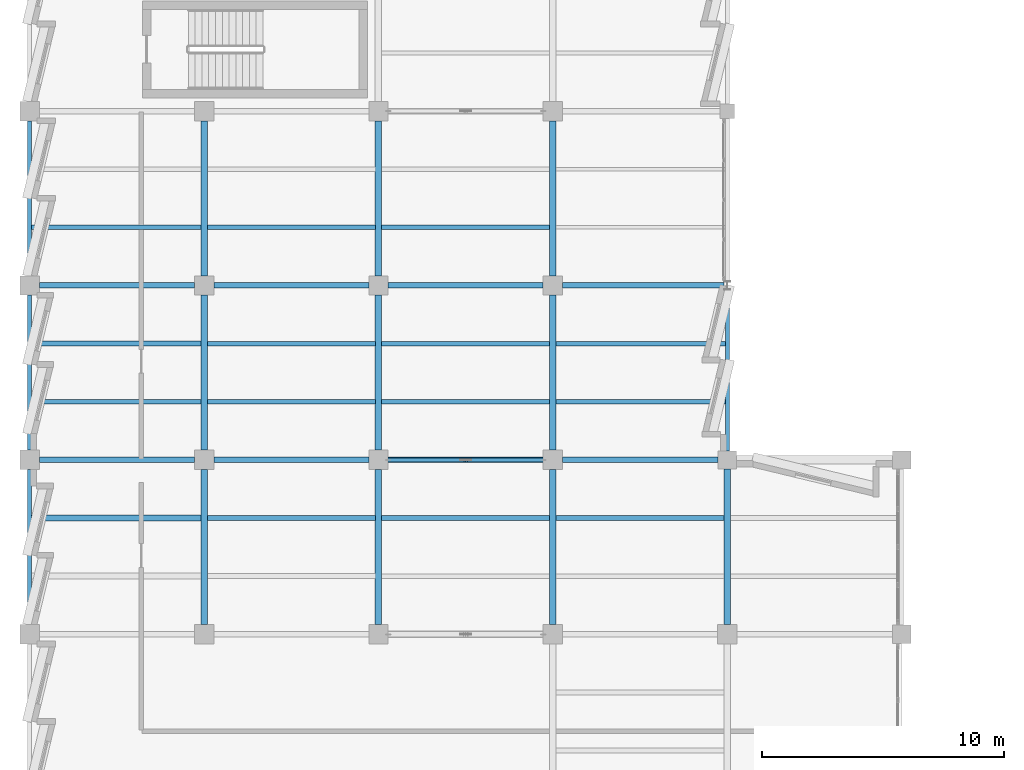
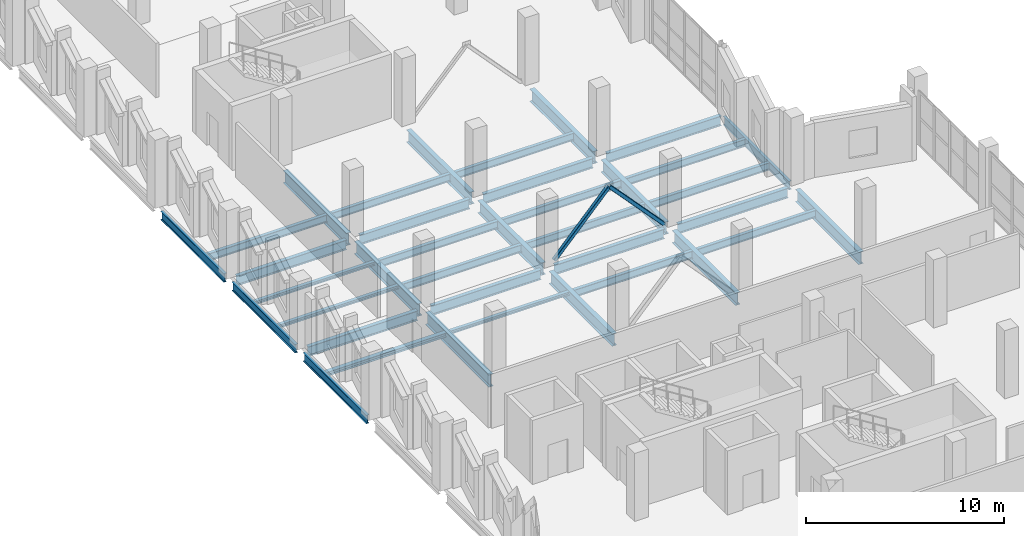
# One storey, part 25 of 94: 37 beams, 2 members.
"""IFC4 building model written with IfcOpenShell, lengths in metres."""

from ifc_helpers import new_model, si_unit, direction, frame, origin, origin_2d, place, context, subcontext, project, spatial, hollow_rectangle, i_section, extrude, material, material_profile, profile_set, type_object, element, save


model = new_model("IFC4")

# Units and contexts
model_context = context("Model", 3, precision=1e-05, world=origin(), true_north=direction((0.0, 1.0)))
body_context = subcontext(model_context, "Body", "Model", "MODEL_VIEW")
ifc_project = project(units=[si_unit("LENGTHUNIT", "METRE"), si_unit("AREAUNIT", "SQUARE_METRE"), si_unit("VOLUMEUNIT", "CUBIC_METRE"), si_unit("PLANEANGLEUNIT", "RADIAN"), si_unit("MASSUNIT", "GRAM", prefix="KILO")], contexts=[model_context])

# Site, building, storey
site_placement = place(None, origin())
site = spatial("IfcSite", under=ifc_project, at=site_placement, CompositionType="ELEMENT")
building_placement = place(site_placement, origin())
building = spatial("IfcBuilding", under=site, at=building_placement, Name="Kalmorath City Hall", CompositionType="ELEMENT")
storey_placement = place(building_placement, frame((0.0, 0.0, 14.699951171875)))
storey = spatial("IfcBuildingStorey", under=building, at=storey_placement, Name="L03", CompositionType="ELEMENT", Elevation=14.699951171875)

# Beams
ifc_material_1 = material(Name="Steel ASTM A992 Grade 50", Category="steel")
ifc_material_profile_1 = material_profile(ifc_material_1, i_section(OverallWidth=0.19091796875, OverallDepth=0.45703125, WebThickness=0.009033203125, FlangeThickness=0.014404296875, FilletRadius=0.013916015625, at=origin_2d()), Name="W18X50")
ifc_profile_set_1 = profile_set([ifc_material_profile_1], Name="Steel ASTM A992 Grade 50")
beam_type_1 = type_object("IfcBeamType", Name="Steel composite joist W18X50", PredefinedType="JOIST", material=ifc_profile_set_1)
beam_1_placement = place(storey_placement, frame((14.533935546875, 45.60009765625, -0.492431640625), z_axis=(1.0, 0.0, 0.0), x_axis=(0.0, 1.0, 0.0)))
element("IfcBeam", 1, at=beam_1_placement, inside=storey, type_object=beam_type_1, Name="L03 joist SJ3 3.7.1", PredefinedType="JOIST", context=body_context, shape_type="SweptSolid", body=[
    extrude(i_section(OverallWidth=0.19091796875, OverallDepth=0.45703125, WebThickness=0.009033203125, FlangeThickness=0.014404296875, FilletRadius=0.013916015625, at=origin_2d()), origin(), (0.0, 0.0, 1.0), 6.93212890625),
])
for number, where, z_axis, x_axis, name in (
    (2, (21.73388671875, 38.39990234375, -0.492431640625), (1.0, 0.0, 0.0), (0.0, 1.0, 0.0), "L03 joist SJ3 4.6.1"),
    (3, (21.73388671875, 40.800048828125, -0.492431640625), (1.0, 0.0, 0.0), (0.0, 1.0, 0.0), "L03 joist SJ3 4.6.2"),
):
    element("IfcBeam", number, at=place(storey_placement, frame(where, z_axis=z_axis, x_axis=x_axis)), inside=storey, type_object=beam_type_1, Name=name, PredefinedType="JOIST", context=body_context, shape_type="SweptSolid", body=[
        extrude(i_section(OverallWidth=0.19091796875, OverallDepth=0.45703125, WebThickness=0.009033203125, FlangeThickness=0.014404296875, FilletRadius=0.013916015625, at=origin_2d()), origin(), (0.0, 0.0, 1.0), 6.983642578125),
    ])
ifc_material_2 = material(Name="Steel ASTM A992 Grade 50", Category="steel")
ifc_material_profile_2 = material_profile(ifc_material_2, i_section(OverallWidth=0.19091796875, OverallDepth=0.4599609375, WebThickness=0.010009765625, FlangeThickness=0.01611328125, FilletRadius=0.013916015625, at=origin_2d()), Name="W18X55")
ifc_profile_set_2 = profile_set([ifc_material_profile_2], Name="Steel ASTM A992 Grade 50")
beam_type_2 = type_object("IfcBeamType", Name="Steel composite joist W18X55", PredefinedType="JOIST", material=ifc_profile_set_2)
for number, where, z_axis, x_axis, name in (
    (4, (7.333984375, 45.60009765625, -0.493896484375), (1.0, 0.0, 0.0), (0.0, 1.0, 0.0), "L03 joist SJ2 2.7.1"),
    (5, (14.533935546875, 38.39990234375, -0.493896484375), (1.0, 0.0, 0.0), (0.0, 1.0, 0.0), "L03 joist SJ2 3.6.1"),
    (6, (14.533935546875, 40.800048828125, -0.493896484375), (1.0, 0.0, 0.0), (0.0, 1.0, 0.0), "L03 joist SJ2 3.6.2"),
    (7, (21.73388671875, 33.60009765625, -0.493896484375), (1.0, 0.0, 0.0), (0.0, 1.0, 0.0), "L03 joist SJ2 4.5.2"),
):
    element("IfcBeam", number, at=place(storey_placement, frame(where, z_axis=z_axis, x_axis=x_axis)), inside=storey, type_object=beam_type_2, Name=name, PredefinedType="JOIST", context=body_context, shape_type="SweptSolid", body=[
        extrude(i_section(OverallWidth=0.19091796875, OverallDepth=0.4599609375, WebThickness=0.010009765625, FlangeThickness=0.01611328125, FilletRadius=0.013916015625, at=origin_2d()), origin(), (0.0, 0.0, 1.0), 6.93212890625),
    ])
ifc_material_3 = material(Name="Steel ASTM A992 Grade 50", Category="steel")
ifc_material_profile_3 = material_profile(ifc_material_3, i_section(OverallWidth=0.193115234375, OverallDepth=0.466064453125, WebThickness=0.011474609375, FlangeThickness=0.01904296875, FilletRadius=0.013916015625, at=origin_2d()), Name="W18X65")
ifc_profile_set_3 = profile_set([ifc_material_profile_3], Name="Steel ASTM A992 Grade 50")
beam_type_3 = type_object("IfcBeamType", Name="Steel composite joist W18X65", PredefinedType="JOIST", material=ifc_profile_set_3)
beam_2_placement = place(storey_placement, frame((0.08251953125, 45.60009765625, -0.4970703125), z_axis=(1.0, 0.0, 0.0), x_axis=(0.0, 1.0, 0.0)))
element("IfcBeam", 8, at=beam_2_placement, inside=storey, type_object=beam_type_3, Name="L03 joist SJ1 1.7.1", PredefinedType="JOIST", context=body_context, shape_type="SweptSolid", body=[
    extrude(i_section(OverallWidth=0.193115234375, OverallDepth=0.466064453125, WebThickness=0.011474609375, FlangeThickness=0.01904296875, FilletRadius=0.013916015625, at=origin_2d()), origin(), (0.0, 0.0, 1.0), 6.9833984375),
])
for number, where, z_axis, x_axis, name in (
    (9, (7.333984375, 38.39990234375, -0.4970703125), (1.0, 0.0, 0.0), (0.0, 1.0, 0.0), "L03 joist SJ1 2.6.1"),
    (10, (7.333984375, 40.800048828125, -0.4970703125), (1.0, 0.0, 0.0), (0.0, 1.0, 0.0), "L03 joist SJ1 2.6.2"),
    (11, (14.533935546875, 33.60009765625, -0.4970703125), (1.0, 0.0, 0.0), (0.0, 1.0, 0.0), "L03 joist SJ1 3.5.2"),
):
    element("IfcBeam", number, at=place(storey_placement, frame(where, z_axis=z_axis, x_axis=x_axis)), inside=storey, type_object=beam_type_3, Name=name, PredefinedType="JOIST", context=body_context, shape_type="SweptSolid", body=[
        extrude(i_section(OverallWidth=0.193115234375, OverallDepth=0.466064453125, WebThickness=0.011474609375, FlangeThickness=0.01904296875, FilletRadius=0.013916015625, at=origin_2d()), origin(), (0.0, 0.0, 1.0), 6.93212890625),
    ])
ifc_material_4 = material(Name="Steel ASTM A992 Grade 50", Category="steel")
ifc_material_profile_4 = material_profile(ifc_material_4, i_section(OverallWidth=0.202880859375, OverallDepth=0.202880859375, WebThickness=0.007080078125, FlangeThickness=0.010986328125, FilletRadius=0.010986328125, at=origin_2d()), Name="W8X31")
ifc_profile_set_4 = profile_set([ifc_material_profile_4], Name="Steel ASTM A992 Grade 50")
beam_type_4 = type_object("IfcBeamType", Name="Steel edge trimmer W8X31", PredefinedType="LINTEL", material=ifc_profile_set_4)
for number, where, z_axis, x_axis, name in (
    (12, (0.08251953125, 38.39990234375, -0.365478515625), (1.0, 0.0, 0.0), (0.0, 1.0, 0.0), "L03 joist SJ16 1.6.1"),
    (13, (0.08251953125, 40.800048828125, -0.365478515625), (1.0, 0.0, 0.0), (0.0, 1.0, 0.0), "L03 joist SJ16 1.6.2"),
):
    element("IfcBeam", number, at=place(storey_placement, frame(where, z_axis=z_axis, x_axis=x_axis)), inside=storey, type_object=beam_type_4, Name=name, PredefinedType="LINTEL", context=body_context, shape_type="SweptSolid", body=[
        extrude(i_section(OverallWidth=0.202880859375, OverallDepth=0.202880859375, WebThickness=0.007080078125, FlangeThickness=0.010986328125, FilletRadius=0.010986328125, at=origin_2d()), origin(), (0.0, 0.0, 1.0), 6.9833984375),
    ])
beam_3_placement = place(storey_placement, frame((7.333984375, 33.60009765625, -0.365478515625), z_axis=(1.0, 0.0, 0.0), x_axis=(0.0, 1.0, 0.0)))
element("IfcBeam", 14, at=beam_3_placement, inside=storey, type_object=beam_type_4, Name="L03 joist SJ16 2.5.2", PredefinedType="LINTEL", context=body_context, shape_type="SweptSolid", body=[
    extrude(i_section(OverallWidth=0.202880859375, OverallDepth=0.202880859375, WebThickness=0.007080078125, FlangeThickness=0.010986328125, FilletRadius=0.010986328125, at=origin_2d()), origin(), (0.0, 0.0, 1.0), 6.93212890625),
])
ifc_material_5 = material(Name="Steel ASTM A992 Grade 50", Category="steel")
ifc_material_profile_5 = material_profile(ifc_material_5, i_section(OverallWidth=0.22802734375, OverallDepth=0.60302734375, WebThickness=0.010498046875, FlangeThickness=0.014892578125, FilletRadius=0.01611328125, at=origin_2d()), Name="W24X68")
ifc_profile_set_5 = profile_set([ifc_material_profile_5], Name="Steel ASTM A992 Grade 50")
beam_type_5 = type_object("IfcBeamType", Name="Steel floor girder W24X68", PredefinedType="BEAM", material=ifc_profile_set_5)
beam_4_placement = place(storey_placement, frame((0.39990234375, 36.0, -0.5654296875), z_axis=(1.0, 0.0, 0.0), x_axis=(0.0, 1.0, 0.0)))
element("IfcBeam", 15, at=beam_4_placement, inside=storey, type_object=beam_type_5, Name="L03 girder SG9 X1-2/6", PredefinedType="BEAM", context=body_context, shape_type="SweptSolid", body=[
    extrude(i_section(OverallWidth=0.22802734375, OverallDepth=0.60302734375, WebThickness=0.010498046875, FlangeThickness=0.014892578125, FilletRadius=0.01611328125, at=origin_2d()), origin(), (0.0, 0.0, 1.0), 6.400146484375),
])
for number, where, z_axis, x_axis, name in (
    (16, (7.60009765625, 36.0, -0.5654296875), (1.0, 0.0, 0.0), (0.0, 1.0, 0.0), "L03 girder SG9 X2-3/6"),
    (17, (14.800048828125, 36.0, -0.5654296875), (1.0, 0.0, 0.0), (0.0, 1.0, 0.0), "L03 girder SG9 X3-4/6"),
):
    element("IfcBeam", number, at=place(storey_placement, frame(where, z_axis=z_axis, x_axis=x_axis)), inside=storey, type_object=beam_type_5, Name=name, PredefinedType="BEAM", context=body_context, shape_type="SweptSolid", body=[
        extrude(i_section(OverallWidth=0.22802734375, OverallDepth=0.60302734375, WebThickness=0.010498046875, FlangeThickness=0.014892578125, FilletRadius=0.01611328125, at=origin_2d()), origin(), (0.0, 0.0, 1.0), 6.39990234375),
    ])
beam_5_placement = place(storey_placement, frame((22.0, 36.0, -0.5654296875), z_axis=(1.0, 0.0, 0.0), x_axis=(0.0, 1.0, 0.0)))
element("IfcBeam", 18, at=beam_5_placement, inside=storey, type_object=beam_type_5, Name="L03 girder SG9 X4-5/6", PredefinedType="BEAM", context=body_context, shape_type="SweptSolid", body=[
    extrude(i_section(OverallWidth=0.22802734375, OverallDepth=0.60302734375, WebThickness=0.010498046875, FlangeThickness=0.014892578125, FilletRadius=0.01611328125, at=origin_2d()), origin(), (0.0, 0.0, 1.0), 6.425048828125),
])
beam_6_placement = place(storey_placement, frame((0.39990234375, 43.199951171875, -0.5654296875), z_axis=(1.0, 0.0, 0.0), x_axis=(0.0, 1.0, 0.0)))
element("IfcBeam", 19, at=beam_6_placement, inside=storey, type_object=beam_type_5, Name="L03 girder SG9 X1-2/7", PredefinedType="BEAM", context=body_context, shape_type="SweptSolid", body=[
    extrude(i_section(OverallWidth=0.22802734375, OverallDepth=0.60302734375, WebThickness=0.010498046875, FlangeThickness=0.014892578125, FilletRadius=0.01611328125, at=origin_2d()), origin(), (0.0, 0.0, 1.0), 6.400146484375),
])
for number, where, z_axis, x_axis, name in (
    (20, (7.60009765625, 43.199951171875, -0.5654296875), (1.0, 0.0, 0.0), (0.0, 1.0, 0.0), "L03 girder SG9 X2-3/7"),
    (21, (14.800048828125, 43.199951171875, -0.5654296875), (1.0, 0.0, 0.0), (0.0, 1.0, 0.0), "L03 girder SG9 X3-4/7"),
):
    element("IfcBeam", number, at=place(storey_placement, frame(where, z_axis=z_axis, x_axis=x_axis)), inside=storey, type_object=beam_type_5, Name=name, PredefinedType="BEAM", context=body_context, shape_type="SweptSolid", body=[
        extrude(i_section(OverallWidth=0.22802734375, OverallDepth=0.60302734375, WebThickness=0.010498046875, FlangeThickness=0.014892578125, FilletRadius=0.01611328125, at=origin_2d()), origin(), (0.0, 0.0, 1.0), 6.39990234375),
    ])
beam_7_placement = place(storey_placement, frame((22.0, 43.199951171875, -0.5654296875), z_axis=(1.0, 0.0, 0.0), x_axis=(0.0, 1.0, 0.0)))
element("IfcBeam", 22, at=beam_7_placement, inside=storey, type_object=beam_type_5, Name="L03 girder SG9 X4-5/7", PredefinedType="BEAM", context=body_context, shape_type="SweptSolid", body=[
    extrude(i_section(OverallWidth=0.22802734375, OverallDepth=0.60302734375, WebThickness=0.010498046875, FlangeThickness=0.014892578125, FilletRadius=0.01611328125, at=origin_2d()), origin(), (0.0, 0.0, 1.0), 6.673095703125),
])
ifc_material_6 = material(Name="Steel ASTM A992 Grade 50", Category="steel")
ifc_material_profile_6 = material_profile(ifc_material_6, i_section(OverallWidth=0.26806640625, OverallDepth=0.77001953125, WebThickness=0.015625, FlangeThickness=0.025390625, FilletRadius=0.02001953125, at=origin_2d()), Name="W30X132")
ifc_profile_set_6 = profile_set([ifc_material_profile_6], Name="Steel ASTM A992 Grade 50")
beam_type_6 = type_object("IfcBeamType", Name="Steel primary girder W30X132", PredefinedType="BEAM", material=ifc_profile_set_6)
for number, where, z_axis, x_axis, name in (
    (23, (7.199951171875, 29.199951171875, -0.64892578125), (0.0, 1.0, 0.0), (-1.0, 0.0, 0.0), "L03 girder SG3 Y2/5-6"),
    (24, (7.199951171875, 36.39990234375, -0.64892578125), (0.0, 1.0, 0.0), (-1.0, 0.0, 0.0), "L03 girder SG3 Y2/6-7"),
):
    element("IfcBeam", number, at=place(storey_placement, frame(where, z_axis=z_axis, x_axis=x_axis)), inside=storey, type_object=beam_type_6, Name=name, PredefinedType="BEAM", context=body_context, shape_type="SweptSolid", body=[
        extrude(i_section(OverallWidth=0.26806640625, OverallDepth=0.77001953125, WebThickness=0.015625, FlangeThickness=0.025390625, FilletRadius=0.02001953125, at=origin_2d()), origin(), (0.0, 0.0, 1.0), 6.400146484375),
    ])
beam_8_placement = place(storey_placement, frame((7.199951171875, 43.60009765625, -0.64892578125), z_axis=(0.0, 1.0, 0.0), x_axis=(-1.0, 0.0, 0.0)))
element("IfcBeam", 25, at=beam_8_placement, inside=storey, type_object=beam_type_6, Name="L03 girder SG3 Y2/7-8", PredefinedType="BEAM", context=body_context, shape_type="SweptSolid", body=[
    extrude(i_section(OverallWidth=0.26806640625, OverallDepth=0.77001953125, WebThickness=0.015625, FlangeThickness=0.025390625, FilletRadius=0.02001953125, at=origin_2d()), origin(), (0.0, 0.0, 1.0), 6.39990234375),
])
for number, where, z_axis, x_axis, name in (
    (26, (14.39990234375, 29.199951171875, -0.64892578125), (0.0, 1.0, 0.0), (-1.0, 0.0, 0.0), "L03 girder SG3 Y3/5-6"),
    (27, (14.39990234375, 36.39990234375, -0.64892578125), (0.0, 1.0, 0.0), (-1.0, 0.0, 0.0), "L03 girder SG3 Y3/6-7"),
):
    element("IfcBeam", number, at=place(storey_placement, frame(where, z_axis=z_axis, x_axis=x_axis)), inside=storey, type_object=beam_type_6, Name=name, PredefinedType="BEAM", context=body_context, shape_type="SweptSolid", body=[
        extrude(i_section(OverallWidth=0.26806640625, OverallDepth=0.77001953125, WebThickness=0.015625, FlangeThickness=0.025390625, FilletRadius=0.02001953125, at=origin_2d()), origin(), (0.0, 0.0, 1.0), 6.400146484375),
    ])
beam_9_placement = place(storey_placement, frame((14.39990234375, 43.60009765625, -0.64892578125), z_axis=(0.0, 1.0, 0.0), x_axis=(-1.0, 0.0, 0.0)))
element("IfcBeam", 28, at=beam_9_placement, inside=storey, type_object=beam_type_6, Name="L03 girder SG3 Y3/7-8", PredefinedType="BEAM", context=body_context, shape_type="SweptSolid", body=[
    extrude(i_section(OverallWidth=0.26806640625, OverallDepth=0.77001953125, WebThickness=0.015625, FlangeThickness=0.025390625, FilletRadius=0.02001953125, at=origin_2d()), origin(), (0.0, 0.0, 1.0), 6.39990234375),
])
for number, where, z_axis, x_axis, name in (
    (29, (21.60009765625, 29.199951171875, -0.64892578125), (0.0, 1.0, 0.0), (-1.0, 0.0, 0.0), "L03 girder SG3 Y4/5-6"),
    (30, (21.60009765625, 36.39990234375, -0.64892578125), (0.0, 1.0, 0.0), (-1.0, 0.0, 0.0), "L03 girder SG3 Y4/6-7"),
):
    element("IfcBeam", number, at=place(storey_placement, frame(where, z_axis=z_axis, x_axis=x_axis)), inside=storey, type_object=beam_type_6, Name=name, PredefinedType="BEAM", context=body_context, shape_type="SweptSolid", body=[
        extrude(i_section(OverallWidth=0.26806640625, OverallDepth=0.77001953125, WebThickness=0.015625, FlangeThickness=0.025390625, FilletRadius=0.02001953125, at=origin_2d()), origin(), (0.0, 0.0, 1.0), 6.400146484375),
    ])
beam_10_placement = place(storey_placement, frame((21.60009765625, 43.60009765625, -0.64892578125), z_axis=(0.0, 1.0, 0.0), x_axis=(-1.0, 0.0, 0.0)))
element("IfcBeam", 31, at=beam_10_placement, inside=storey, type_object=beam_type_6, Name="L03 girder SG3 Y4/7-8", PredefinedType="BEAM", context=body_context, shape_type="SweptSolid", body=[
    extrude(i_section(OverallWidth=0.26806640625, OverallDepth=0.77001953125, WebThickness=0.015625, FlangeThickness=0.025390625, FilletRadius=0.02001953125, at=origin_2d()), origin(), (0.0, 0.0, 1.0), 6.39990234375),
])
beam_11_placement = place(storey_placement, frame((28.800048828125, 29.199951171875, -0.64892578125), z_axis=(0.0, 1.0, 0.0), x_axis=(-1.0, 0.0, 0.0)))
element("IfcBeam", 32, at=beam_11_placement, inside=storey, type_object=beam_type_6, Name="L03 girder SG3 Y5/5-6", PredefinedType="BEAM", context=body_context, shape_type="SweptSolid", body=[
    extrude(i_section(OverallWidth=0.26806640625, OverallDepth=0.77001953125, WebThickness=0.015625, FlangeThickness=0.025390625, FilletRadius=0.02001953125, at=origin_2d()), origin(), (0.0, 0.0, 1.0), 6.425048828125),
])

# Members
ifc_material_7 = material(Name="Steel ASTM A500 Grade C", Category="steel")
ifc_material_profile_7 = material_profile(ifc_material_7, hollow_rectangle(XDim=0.202880859375, YDim=0.202880859375, WallThickness=0.01171875, InnerFilletRadius=0.01171875, OuterFilletRadius=0.023681640625, at=origin_2d()), Name="HSS203X203X12.7")
ifc_profile_set_7 = profile_set([ifc_material_profile_7], Name="Steel ASTM A500 Grade C")
member_type = type_object("IfcMemberType", Name="Steel seismic chevron brace HSS203X203X12.7", PredefinedType="BRACE", material=ifc_profile_set_7)
for number, where, z_axis, x_axis, name in (
    (33, (14.800048828125, 36.0, 0.0), (0.680043029649, 0.0, 0.733172202027), (0.0, 1.0, 0.0), "L03 chevron brace BR2 2A"),
    (34, (21.199951171875, 36.0, 0.0), (-0.680043029649, 0.0, 0.733172202027), (0.0, -1.0, 0.0), "L03 chevron brace BR2 2B"),
):
    element("IfcMember", number, at=place(storey_placement, frame(where, z_axis=z_axis, x_axis=x_axis)), inside=storey, type_object=member_type, Name=name, PredefinedType="BRACE", context=body_context, shape_type="SweptSolid", body=[
        extrude(hollow_rectangle(XDim=0.202880859375, YDim=0.202880859375, WallThickness=0.01171875, InnerFilletRadius=0.01171875, OuterFilletRadius=0.023681640625, at=origin_2d()), origin(), (0.0, 0.0, 1.0), 4.70556640625),
    ])

# Beams
ifc_material_8 = material(Name="Steel ASTM A992 Grade 50", Category="steel")
ifc_material_profile_8 = material_profile(ifc_material_8, i_section(OverallWidth=0.1650390625, OverallDepth=0.52490234375, WebThickness=0.0087890625, FlangeThickness=0.011474609375, FilletRadius=0.014892578125, at=origin_2d()), Name="W21X44")
ifc_profile_set_8 = profile_set([ifc_material_profile_8], Name="Steel ASTM A992 Grade 50")
beam_type_7 = type_object("IfcBeamType", Name="Steel spandrel beam W21X44", PredefinedType="SPANDREL", material=ifc_profile_set_8)
for number, where, z_axis, x_axis, name in (
    (35, (0.0, 29.199951171875, -0.5263671875), (0.0, 1.0, 0.0), (-1.0, 0.0, 0.0), "L03 girder SB4 Y1/5-6"),
    (36, (0.0, 36.39990234375, -0.5263671875), (0.0, 1.0, 0.0), (-1.0, 0.0, 0.0), "L03 girder SB4 Y1/6-7"),
):
    element("IfcBeam", number, at=place(storey_placement, frame(where, z_axis=z_axis, x_axis=x_axis)), inside=storey, type_object=beam_type_7, Name=name, PredefinedType="SPANDREL", context=body_context, shape_type="SweptSolid", body=[
        extrude(i_section(OverallWidth=0.1650390625, OverallDepth=0.52490234375, WebThickness=0.0087890625, FlangeThickness=0.011474609375, FilletRadius=0.014892578125, at=origin_2d()), origin(), (0.0, 0.0, 1.0), 6.400146484375),
    ])
beam_12_placement = place(storey_placement, frame((0.0, 43.60009765625, -0.5263671875), z_axis=(0.0, 1.0, 0.0), x_axis=(-1.0, 0.0, 0.0)))
element("IfcBeam", 37, at=beam_12_placement, inside=storey, type_object=beam_type_7, Name="L03 girder SB4 Y1/7-8", PredefinedType="SPANDREL", context=body_context, shape_type="SweptSolid", body=[
    extrude(i_section(OverallWidth=0.1650390625, OverallDepth=0.52490234375, WebThickness=0.0087890625, FlangeThickness=0.011474609375, FilletRadius=0.014892578125, at=origin_2d()), origin(), (0.0, 0.0, 1.0), 6.39990234375),
])
beam_13_placement = place(storey_placement, frame((28.800048828125, 36.375, -0.5263671875), z_axis=(0.0, 1.0, 0.0), x_axis=(-1.0, 0.0, 0.0)))
element("IfcBeam", 38, at=beam_13_placement, inside=storey, type_object=beam_type_7, Name="L03 girder SB4 Y5/6-7", PredefinedType="SPANDREL", context=body_context, shape_type="SweptSolid", body=[
    extrude(i_section(OverallWidth=0.1650390625, OverallDepth=0.52490234375, WebThickness=0.0087890625, FlangeThickness=0.011474609375, FilletRadius=0.014892578125, at=origin_2d()), origin(), (0.0, 0.0, 1.0), 6.6484375),
])
ifc_material_9 = material(Name="Steel ASTM A992 Grade 50", Category="steel")
ifc_material_profile_9 = material_profile(ifc_material_9, i_section(OverallWidth=0.25390625, OverallDepth=0.2529296875, WebThickness=0.008544921875, FlangeThickness=0.01416015625, FilletRadius=0.011962890625, at=origin_2d()), Name="W10X49")
ifc_profile_set_9 = profile_set([ifc_material_profile_9], Name="Steel ASTM A992 Grade 50")
beam_type_8 = type_object("IfcBeamType", Name="Steel trimmer beam W10X49", PredefinedType="BEAM", material=ifc_profile_set_9)
beam_14_placement = place(storey_placement, frame((0.08251953125, 33.60009765625, -0.390380859375), z_axis=(1.0, 0.0, 0.0), x_axis=(0.0, 1.0, 0.0)))
element("IfcBeam", 39, at=beam_14_placement, inside=storey, type_object=beam_type_8, Name="L03 joist SJ14 1.5.2", PredefinedType="BEAM", context=body_context, shape_type="SweptSolid", body=[
    extrude(i_section(OverallWidth=0.25390625, OverallDepth=0.2529296875, WebThickness=0.008544921875, FlangeThickness=0.01416015625, FilletRadius=0.011962890625, at=origin_2d()), origin(), (0.0, 0.0, 1.0), 6.9833984375),
])

save(model, "model.ifc")
